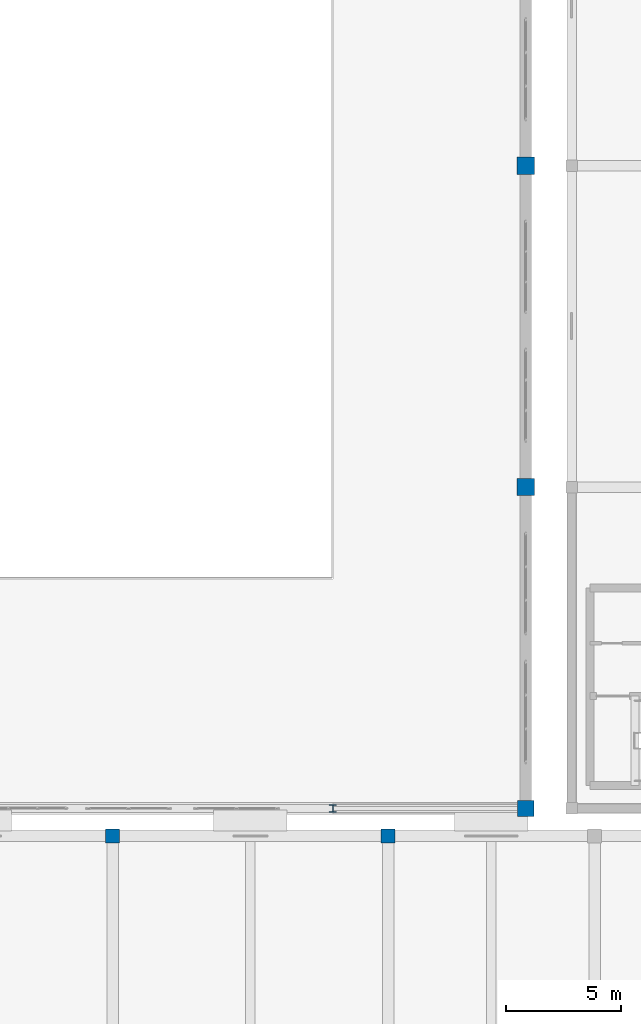
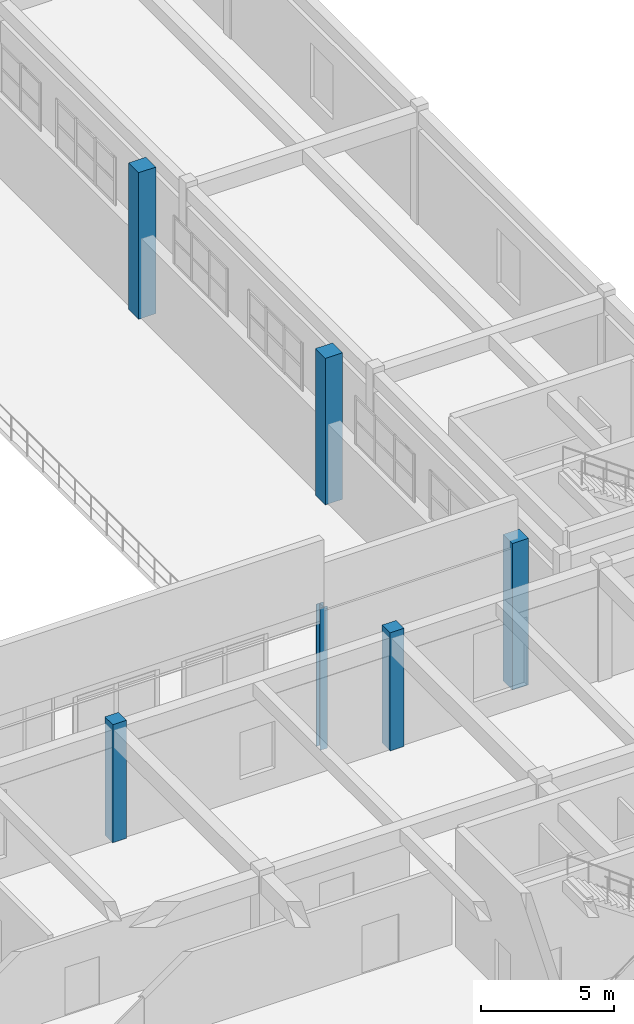
# One storey, part 4 of 197: 6 columns.
"""IFC4 building model written with IfcOpenShell, lengths in metres."""

from ifc_helpers import new_model, si_unit, derived_unit, direction, frame, origin, origin_2d, place, context, subcontext, project, spatial, rectangle, i_section, extrude, material, material_profile, profile_set, type_object, element, save


model = new_model("IFC4")

# Units and contexts
model_context = context("Model", 3, precision=1e-05, world=origin(), true_north=direction((0.0, 1.0)))
body_context = subcontext(model_context, "Body", "Model", "MODEL_VIEW")
ifc_project = project(units=[si_unit("LENGTHUNIT", "METRE"), si_unit("AREAUNIT", "SQUARE_METRE"), si_unit("VOLUMEUNIT", "CUBIC_METRE"), si_unit("PLANEANGLEUNIT", "RADIAN"), si_unit("MASSUNIT", "GRAM", prefix="KILO"), derived_unit("THERMALTRANSMITTANCEUNIT", [(si_unit("POWERUNIT", "WATT"), 1), (si_unit("LENGTHUNIT", "METRE"), -2), (si_unit("THERMODYNAMICTEMPERATUREUNIT", "KELVIN"), -1)])], contexts=[model_context])

# Site, building, storey
site_placement = place(None, origin())
site = spatial("IfcSite", under=ifc_project, at=site_placement, CompositionType="ELEMENT")
building_placement = place(site_placement, origin())
building = spatial("IfcBuilding", under=site, at=building_placement, Name="Almenara Railside Exhibition Hall", CompositionType="ELEMENT")
storey_placement = place(building_placement, frame((0.0, 0.0, 5.39990234375)))
storey = spatial("IfcBuildingStorey", under=building, at=storey_placement, Name="L01", CompositionType="ELEMENT", Elevation=5.39990234375)

# Columns
ifc_material_1 = material(Name="Concrete C35/45", Category="concrete")
ifc_material_profile_1 = material_profile(ifc_material_1, rectangle(XDim=0.60009765625, YDim=0.60009765625, at=origin_2d()), Name="RC 600x600")
ifc_profile_set_1 = profile_set([ifc_material_profile_1], Name="Concrete C35/45")
column_type_1 = type_object("IfcColumnType", Name="RC Column 600x600 C35/45", PredefinedType="COLUMN", material=ifc_profile_set_1)
for number, where, z_axis, x_axis, name in (
    (1, (174.0, 32.800048828125, 0.0), (0.0, 0.0, 1.0), (1.0, 0.0, 0.0), "Column 0394"),
    (2, (186.0, 32.800048828125, 0.0), (0.0, 0.0, 1.0), (1.0, 0.0, 0.0), "Column 0413"),
):
    element("IfcColumn", number, at=place(storey_placement, frame(where, z_axis=z_axis, x_axis=x_axis)), inside=storey, type_object=column_type_1, Name=name, PredefinedType="COLUMN", context=body_context, shape_type="SweptSolid", body=[
        extrude(rectangle(XDim=0.60009765625, YDim=0.60009765625, at=origin_2d()), origin(), (0.0, 0.0, 1.0), 5.400146484375),
    ])
ifc_material_2 = material(Name="Concrete C40/50", Category="concrete")
ifc_material_profile_2 = material_profile(ifc_material_2, rectangle(XDim=0.699951171875, YDim=0.699951171875, at=origin_2d()), Name="RC 700x700")
ifc_profile_set_2 = profile_set([ifc_material_profile_2], Name="Concrete C40/50")
column_type_2 = type_object("IfcColumnType", Name="RC Column 700x700 C40/50", PredefinedType="COLUMN", material=ifc_profile_set_2)
column_1_placement = place(storey_placement, frame((192.0, 34.0, 0.0), z_axis=(0.0, 0.0, 1.0), x_axis=(1.0, 0.0, 0.0)))
element("IfcColumn", 3, at=column_1_placement, inside=storey, type_object=column_type_2, Name="Column 0088", PredefinedType="COLUMN", context=body_context, shape_type="SweptSolid", body=[
    extrude(rectangle(XDim=0.699951171875, YDim=0.699951171875, at=origin_2d()), origin(), (0.0, 0.0, 1.0), 6.7001953125),
])
ifc_material_profile_3 = material_profile(ifc_material_2, rectangle(XDim=0.75, YDim=0.75, at=origin_2d()), Name="RC 750x750")
ifc_profile_set_3 = profile_set([ifc_material_profile_3], Name="Concrete C40/50")
column_type_3 = type_object("IfcColumnType", Name="RC Column 750x750 C40/50", PredefinedType="COLUMN", material=ifc_profile_set_3)
for number, where, z_axis, x_axis, name in (
    (4, (192.0, 48.0, 0.0), (0.0, 0.0, 1.0), (1.0, 0.0, 0.0), "Column 0096"),
    (5, (192.0, 62.0, 0.0), (0.0, 0.0, 1.0), (1.0, 0.0, 0.0), "Column 0102"),
):
    element("IfcColumn", number, at=place(storey_placement, frame(where, z_axis=z_axis, x_axis=x_axis)), inside=storey, type_object=column_type_3, Name=name, PredefinedType="COLUMN", context=body_context, shape_type="SweptSolid", body=[
        extrude(rectangle(XDim=0.75, YDim=0.75, at=origin_2d()), origin(), (0.0, 0.0, 1.0), 6.7001953125),
    ])
ifc_material_3 = material(Name="Structural steel S355JR", Category="steel")
ifc_material_profile_4 = material_profile(ifc_material_3, i_section(OverallWidth=0.307373046875, OverallDepth=0.314453125, WebThickness=0.011962890625, FlangeThickness=0.018798828125, FilletRadius=0.01513671875, at=origin_2d()), Name="UC 305x305x118")
ifc_profile_set_4 = profile_set([ifc_material_profile_4], Name="Structural steel S355JR")
column_type_4 = type_object("IfcColumnType", Name="Steel Column UC 305x305x118 S355JR", PredefinedType="COLUMN", material=ifc_profile_set_4)
column_2_placement = place(storey_placement, frame((183.60009765625, 34.0, 0.0), z_axis=(0.0, 0.0, 1.0), x_axis=(1.0, 0.0, 0.0)))
element("IfcColumn", 6, at=column_2_placement, inside=storey, type_object=column_type_4, Name="Column 0092", PredefinedType="COLUMN", context=body_context, shape_type="SweptSolid", body=[
    extrude(i_section(OverallWidth=0.307373046875, OverallDepth=0.314453125, WebThickness=0.011962890625, FlangeThickness=0.018798828125, FilletRadius=0.01513671875, at=origin_2d()), origin(), (0.0, 0.0, 1.0), 6.5),
])

save(model, "model.ifc")
